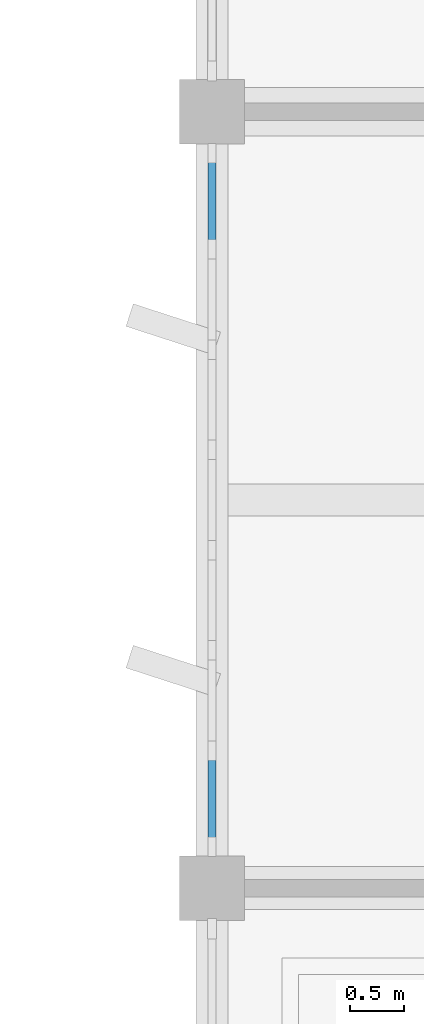
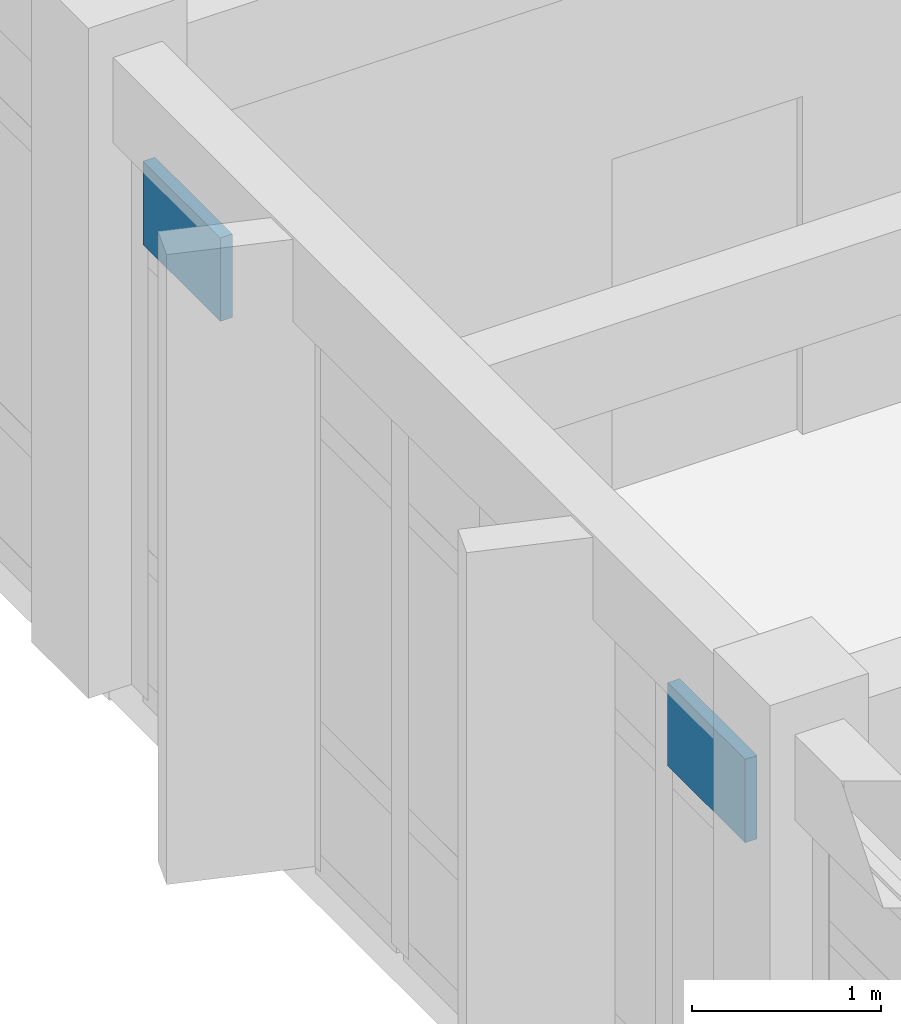
# One storey, part 47 of 70: 2 plates, 1 element without a shape of its own.
"""IFC4 building model written with IfcOpenShell, lengths in metres."""

from ifc_helpers import new_model, si_unit, direction, frame, origin, origin_2d, place, context, subcontext, project, spatial, rectangle, extrude, material, layer, layer_set, type_object, element, aggregate, save


model = new_model("IFC4")

# Units and contexts
model_context = context("Model", 3, precision=1e-05, world=origin(), true_north=direction((0.0, 1.0)))
body_context = subcontext(model_context, "Body", "Model", "MODEL_VIEW")
ifc_project = project(units=[si_unit("LENGTHUNIT", "METRE"), si_unit("AREAUNIT", "SQUARE_METRE"), si_unit("VOLUMEUNIT", "CUBIC_METRE"), si_unit("PLANEANGLEUNIT", "RADIAN"), si_unit("MASSUNIT", "GRAM", prefix="KILO")], contexts=[model_context])

# Site, building, storey
site_placement = place(None, origin())
site = spatial("IfcSite", under=ifc_project, at=site_placement, CompositionType="ELEMENT")
building_placement = place(site_placement, origin())
building = spatial("IfcBuilding", under=site, at=building_placement, Name="Kavelor Marine Aquarium", CompositionType="ELEMENT")
storey_placement = place(building_placement, frame((0.0, 0.0, 9.179931640625)))
storey = spatial("IfcBuildingStorey", under=building, at=storey_placement, Name="L02", CompositionType="ELEMENT", Elevation=9.179931640625)

# Curtain wall, plates
ifc_material_1 = material(Name="Thermally Broken Aluminium and Low-E Glass", Category="aluminium")
ifc_layer_1 = layer(ifc_material_1, 0.14794921875)
ifc_layer_set_1 = layer_set([ifc_layer_1], Name="CW-SYS1")
curtain_wall_type = type_object("IfcCurtainWallType", Name="CW-SYS1", PredefinedType="USERDEFINED", material=ifc_layer_set_1)
curtain_wall_placement = place(storey_placement, origin())
curtain_wall = element("IfcCurtainWall", 1, at=curtain_wall_placement, inside=storey, type_object=curtain_wall_type, Name="cw:y:L02:16_01", ObjectType="Curtain Wall", PredefinedType="USERDEFINED")
ifc_material_2 = material(Name="Solar-Control Double Low-E Glazing", Category="glass")
ifc_layer_2 = layer(ifc_material_2, 0.073974609375)
ifc_layer_set_2 = layer_set([ifc_layer_2], Name="CWP-25")
plate_type = type_object("IfcPlateType", Name="CWP-25", PredefinedType="CURTAIN_PANEL", material=ifc_layer_set_2)
plate_1_placement = place(storey_placement, frame((118.39990234375, 16.371337890625, 2.907470703125), z_axis=(0.0, 0.0, 1.0), x_axis=(0.0, -1.0, 0.0)))
plate_1 = element("IfcPlate", 2, at=plate_1_placement, type_object=plate_type, Name="CW01 panel 1.3", PredefinedType="CURTAIN_PANEL", context=body_context, shape_type="SweptSolid", body=[
    extrude(rectangle(XDim=0.8173828125, YDim=0.073974609375, at=origin_2d()), origin(), (0.0, 0.0, 1.0), 0.53759765625),
])
plate_2_placement = place(storey_placement, frame((118.39990234375, 10.828857421875, 2.907470703125), z_axis=(0.0, 0.0, 1.0), x_axis=(0.0, -1.0, 0.0)))
plate_2 = element("IfcPlate", 3, at=plate_2_placement, type_object=plate_type, Name="CW01 panel 7.3", PredefinedType="CURTAIN_PANEL", context=body_context, shape_type="SweptSolid", body=[
    extrude(rectangle(XDim=0.8173828125, YDim=0.073974609375, at=origin_2d()), origin(), (0.0, 0.0, 1.0), 0.53759765625),
])
aggregate(curtain_wall, [plate_1, plate_2])

save(model, "model.ifc")
